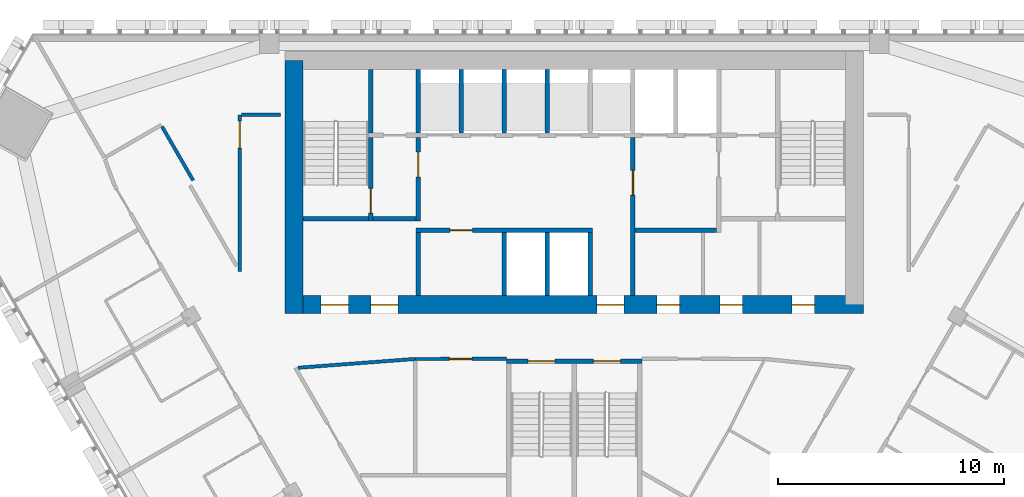
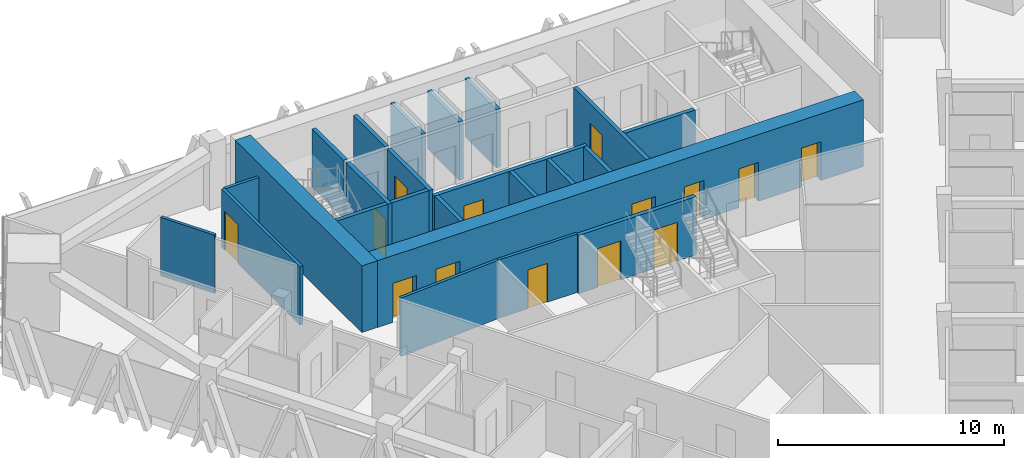
# One storey, part 11 of 16: 24 walls, 14 doors, 14 openings.
"""IFC4 building model written with IfcOpenShell, lengths in metres."""

from ifc_helpers import new_model, si_unit, direction, frame, frame_2d, origin, place, context, subcontext, project, spatial, rectangle, extrude, material, layer, layer_set, type_object, element, fill, save


model = new_model("IFC4")

# Units and contexts
model_context = context("Model", 3, precision=1e-05, world=origin(), true_north=direction((0.0, 1.0)))
body_context = subcontext(model_context, "Body", "Model", "MODEL_VIEW")
ifc_project = project(units=[si_unit("LENGTHUNIT", "METRE"), si_unit("AREAUNIT", "SQUARE_METRE"), si_unit("VOLUMEUNIT", "CUBIC_METRE"), si_unit("PLANEANGLEUNIT", "RADIAN"), si_unit("MASSUNIT", "GRAM", prefix="KILO")], contexts=[model_context])

# Site, building, storey
site_placement = place(None, origin())
site = spatial("IfcSite", under=ifc_project, at=site_placement, CompositionType="ELEMENT")
building_placement = place(site_placement, origin())
building = spatial("IfcBuilding", under=site, at=building_placement, Name="Altiplano Prism Tower", CompositionType="ELEMENT")
storey_placement = place(building_placement, frame((0.0, 0.0, 131.39990234375)))
storey = spatial("IfcBuildingStorey", under=building, at=storey_placement, Name="L33", CompositionType="ELEMENT", Elevation=131.39990234375)

# Wall, openings, doors
ifc_material_1 = material(Name="Concrete C60/75", Category="concrete")
ifc_layer_1 = layer(ifc_material_1, 0.800048828125)
ifc_layer_set_1 = layer_set([ifc_layer_1], Name="Concrete C60/75")
wall_type_1 = type_object("IfcWallType", Name="Core wall 800", PredefinedType="SHEAR", material=ifc_layer_set_1)
wall_1_placement = place(storey_placement, frame((72.60009765625, 93.0, 0.0), z_axis=(0.0, 0.0, 1.0), x_axis=(1.0, 0.0, 0.0)))
wall_1 = element("IfcWall", 1, at=wall_1_placement, inside=storey, type_object=wall_type_1, Name="Core wall S L33", PredefinedType="SHEAR", context=body_context, shape_type="SweptSolid", body=[
    extrude(rectangle(XDim=25.199951171875, YDim=0.800048828125, at=frame_2d((12.60009765625, 0.0))), origin(), (0.0, 0.0, 1.0), 3.60009765625),
])
opening_1_placement = place(wall_1_placement, frame((1.199951171875, 0.0, 0.0)))
opening_1 = element("IfcOpeningElement", 2, at=opening_1_placement, cuts=wall_1, Name="Opening D3030", PredefinedType="OPENING", context=body_context, shape_type="SweptSolid", body=[
    extrude(rectangle(XDim=1.199951171875, YDim=2.10009765625, at=frame_2d((0.60009765625, 1.050048828125))), frame((0.0, 0.41064453125, 0.0), z_axis=(0.0, -1.0, 0.0), x_axis=(1.0, 0.0, 0.0)), (0.0, 0.0, 1.0), 0.821044921875),
])
opening_2_placement = place(wall_1_placement, frame((3.39990234375, 0.0, 0.0)))
opening_2 = element("IfcOpeningElement", 3, at=opening_2_placement, cuts=wall_1, Name="Opening D3031", PredefinedType="OPENING", context=body_context, shape_type="SweptSolid", body=[
    extrude(rectangle(XDim=1.199951171875, YDim=2.10009765625, at=frame_2d((0.60009765625, 1.050048828125))), frame((0.0, 0.41064453125, 0.0), z_axis=(0.0, -1.0, 0.0), x_axis=(1.0, 0.0, 0.0)), (0.0, 0.0, 1.0), 0.821044921875),
])
opening_3_placement = place(wall_1_placement, frame((13.39990234375, 0.0, 0.0)))
opening_3 = element("IfcOpeningElement", 4, at=opening_3_placement, cuts=wall_1, Name="Opening D3032", PredefinedType="OPENING", context=body_context, shape_type="SweptSolid", body=[
    extrude(rectangle(XDim=1.199951171875, YDim=2.10009765625, at=frame_2d((0.60009765625, 1.050048828125))), frame((0.0, 0.41064453125, 0.0), z_axis=(0.0, -1.0, 0.0), x_axis=(1.0, 0.0, 0.0)), (0.0, 0.0, 1.0), 0.821044921875),
])
opening_4_placement = place(wall_1_placement, frame((16.0625, 0.0, 0.0)))
opening_4 = element("IfcOpeningElement", 5, at=opening_4_placement, cuts=wall_1, Name="Opening D3035", PredefinedType="OPENING", context=body_context, shape_type="SweptSolid", body=[
    extrude(rectangle(XDim=1.0, YDim=2.10009765625, at=frame_2d((0.5, 1.050048828125))), frame((0.0, 0.41064453125, 0.0), z_axis=(0.0, -1.0, 0.0), x_axis=(1.0, 0.0, 0.0)), (0.0, 0.0, 1.0), 0.821044921875),
])
opening_5_placement = place(wall_1_placement, frame((18.85009765625, 0.0, 0.0)))
opening_5 = element("IfcOpeningElement", 6, at=opening_5_placement, cuts=wall_1, Name="Opening D3036", PredefinedType="OPENING", context=body_context, shape_type="SweptSolid", body=[
    extrude(rectangle(XDim=1.0, YDim=2.10009765625, at=frame_2d((0.5, 1.050048828125))), frame((0.0, 0.41064453125, 0.0), z_axis=(0.0, -1.0, 0.0), x_axis=(1.0, 0.0, 0.0)), (0.0, 0.0, 1.0), 0.821044921875),
])
opening_6_placement = place(wall_1_placement, frame((22.03759765625, 0.0, 0.0)))
opening_6 = element("IfcOpeningElement", 7, at=opening_6_placement, cuts=wall_1, Name="Opening D3037", PredefinedType="OPENING", context=body_context, shape_type="SweptSolid", body=[
    extrude(rectangle(XDim=1.0, YDim=2.10009765625, at=frame_2d((0.5, 1.050048828125))), frame((0.0, 0.41064453125, 0.0), z_axis=(0.0, -1.0, 0.0), x_axis=(1.0, 0.0, 0.0)), (0.0, 0.0, 1.0), 0.821044921875),
])
ifc_material_2 = material(Name="Fire-rated steel door", Category="steel")
door_type_1 = type_object("IfcDoorType", Name="Core room door 1000 x 2100", OperationType="NOTDEFINED", PredefinedType="NOTDEFINED", material=ifc_material_2)
door_1_placement = place(opening_4_placement, origin())
door_1 = element("IfcDoor", 8, at=door_1_placement, inside=storey, type_object=door_type_1, Name="Core room door D3035", OperationType="SINGLE_SWING_RIGHT", OverallHeight=2.10009765625, OverallWidth=1.0, PredefinedType="NOTDEFINED", context=body_context, shape_type="SweptSolid", body=[
    extrude(rectangle(XDim=1.0, YDim=2.10009765625, at=frame_2d((0.5, 1.050048828125))), frame((0.0, 0.02490234375, 0.0), z_axis=(0.0, -1.0, 0.0), x_axis=(1.0, 0.0, 0.0)), (0.0, 0.0, 1.0), 0.050048828125),
])
fill(opening_4, door_1)
door_2_placement = place(opening_5_placement, origin())
door_2 = element("IfcDoor", 9, at=door_2_placement, inside=storey, type_object=door_type_1, Name="Core room door D3036", OperationType="SINGLE_SWING_LEFT", OverallHeight=2.10009765625, OverallWidth=1.0, PredefinedType="NOTDEFINED", context=body_context, shape_type="SweptSolid", body=[
    extrude(rectangle(XDim=1.0, YDim=2.10009765625, at=frame_2d((0.5, 1.050048828125))), frame((0.0, 0.02490234375, 0.0), z_axis=(0.0, -1.0, 0.0), x_axis=(1.0, 0.0, 0.0)), (0.0, 0.0, 1.0), 0.050048828125),
])
fill(opening_5, door_2)
door_3_placement = place(opening_6_placement, origin())
door_3 = element("IfcDoor", 10, at=door_3_placement, inside=storey, type_object=door_type_1, Name="Core room door D3037", OperationType="SINGLE_SWING_RIGHT", OverallHeight=2.10009765625, OverallWidth=1.0, PredefinedType="NOTDEFINED", context=body_context, shape_type="SweptSolid", body=[
    extrude(rectangle(XDim=1.0, YDim=2.10009765625, at=frame_2d((0.5, 1.050048828125))), frame((0.0, 0.02490234375, 0.0), z_axis=(0.0, -1.0, 0.0), x_axis=(1.0, 0.0, 0.0)), (0.0, 0.0, 1.0), 0.050048828125),
])
fill(opening_6, door_3)
door_type_2 = type_object("IfcDoorType", Name="Lobby fire door 1200 x 2100", OperationType="NOTDEFINED", PredefinedType="NOTDEFINED", material=ifc_material_2)
door_4_placement = place(opening_1_placement, origin())
door_4 = element("IfcDoor", 11, at=door_4_placement, inside=storey, type_object=door_type_2, Name="Lobby fire door D3030", OperationType="SINGLE_SWING_RIGHT", OverallHeight=2.10009765625, OverallWidth=1.199951171875, PredefinedType="NOTDEFINED", context=body_context, shape_type="SweptSolid", body=[
    extrude(rectangle(XDim=1.199951171875, YDim=2.10009765625, at=frame_2d((0.60009765625, 1.050048828125))), frame((0.0, 0.02490234375, 0.0), z_axis=(0.0, -1.0, 0.0), x_axis=(1.0, 0.0, 0.0)), (0.0, 0.0, 1.0), 0.050048828125),
])
fill(opening_1, door_4)
door_5_placement = place(opening_2_placement, origin())
door_5 = element("IfcDoor", 12, at=door_5_placement, inside=storey, type_object=door_type_2, Name="Lobby fire door D3031", OperationType="SINGLE_SWING_LEFT", OverallHeight=2.10009765625, OverallWidth=1.199951171875, PredefinedType="NOTDEFINED", context=body_context, shape_type="SweptSolid", body=[
    extrude(rectangle(XDim=1.199951171875, YDim=2.10009765625, at=frame_2d((0.60009765625, 1.050048828125))), frame((0.0, 0.02490234375, 0.0), z_axis=(0.0, -1.0, 0.0), x_axis=(1.0, 0.0, 0.0)), (0.0, 0.0, 1.0), 0.050048828125),
])
fill(opening_2, door_5)
door_6_placement = place(opening_3_placement, origin())
door_6 = element("IfcDoor", 13, at=door_6_placement, inside=storey, type_object=door_type_2, Name="Lobby fire door D3032", OperationType="SINGLE_SWING_RIGHT", OverallHeight=2.10009765625, OverallWidth=1.199951171875, PredefinedType="NOTDEFINED", context=body_context, shape_type="SweptSolid", body=[
    extrude(rectangle(XDim=1.199951171875, YDim=2.10009765625, at=frame_2d((0.60009765625, 1.050048828125))), frame((0.0, 0.02490234375, 0.0), z_axis=(0.0, -1.0, 0.0), x_axis=(1.0, 0.0, 0.0)), (0.0, 0.0, 1.0), 0.050048828125),
])
fill(opening_3, door_6)

# Walls
wall_2_placement = place(storey_placement, frame((72.60009765625, 103.800048828125, 0.0), z_axis=(0.0, 0.0, 1.0), x_axis=(0.0, -1.0, 0.0)))
element("IfcWall", 14, at=wall_2_placement, inside=storey, type_object=wall_type_1, Name="Core wall W L33", PredefinedType="SHEAR", context=body_context, shape_type="SweptSolid", body=[
    extrude(rectangle(XDim=11.199951171875, YDim=0.800048828125, at=frame_2d((5.60009765625, 0.0))), origin(), (0.0, 0.0, 1.0), 3.60009765625),
])
ifc_material_3 = material(Name="Plasterboard on steel stud", Category="steel")
ifc_layer_2 = layer(ifc_material_3, 0.14990234375)
ifc_layer_set_2 = layer_set([ifc_layer_2], Name="Plasterboard on steel stud")
wall_type_2 = type_object("IfcWallType", Name="Partition 150 corridor", PredefinedType="PARTITIONING", material=ifc_layer_set_2)
wall_3_placement = place(storey_placement, frame((72.7841796875, 90.208984375, 0.0), z_axis=(0.0, 0.0, 1.0), x_axis=(0.997170112463, 0.075178233616, 0.0)))
element("IfcWall", 15, at=wall_3_placement, inside=storey, type_object=wall_type_2, Name="Partition P06 L33 003", PredefinedType="PARTITIONING", context=body_context, shape_type="SweptSolid", body=[
    extrude(rectangle(XDim=5.189453125, YDim=0.14990234375, at=frame_2d((2.5947265625, 0.0))), origin(), (0.0, 0.0, 1.0), 3.150146484375),
])

# Wall, opening, door
wall_4_placement = place(storey_placement, frame((77.958984375, 90.59912109375, 0.0), z_axis=(0.0, 0.0, 1.0), x_axis=(0.9999999708, 0.000241662632, 0.0)))
wall_4 = element("IfcWall", 16, at=wall_4_placement, inside=storey, type_object=wall_type_2, Name="Partition P06 L33 004", PredefinedType="PARTITIONING", context=body_context, shape_type="SweptSolid", body=[
    extrude(rectangle(XDim=4.041015625, YDim=0.14990234375, at=frame_2d((2.0205078125, 0.0))), origin(), (0.0, 0.0, 1.0), 3.150146484375),
])
opening_7_placement = place(wall_4_placement, frame((1.52001953125, 0.0, 0.0)))
opening_7 = element("IfcOpeningElement", 17, at=opening_7_placement, cuts=wall_4, Name="Opening D1184", PredefinedType="OPENING", context=body_context, shape_type="SweptSolid", body=[
    extrude(rectangle(XDim=1.0, YDim=2.10009765625, at=frame_2d((0.5, 1.050048828125))), frame((0.0, 0.08544921875, 0.0), z_axis=(0.0, -1.0, 0.0), x_axis=(1.0, 0.0, 0.0)), (0.0, 0.0, 1.0), 0.1708984375),
])
ifc_material_4 = material(Name="Timber", Category="wood")
door_type_3 = type_object("IfcDoorType", Name="Store door 1000 x 2100", OperationType="NOTDEFINED", PredefinedType="NOTDEFINED", material=ifc_material_4)
door_7_placement = place(opening_7_placement, origin())
door_7 = element("IfcDoor", 18, at=door_7_placement, inside=storey, type_object=door_type_3, Name="Door D1184", OperationType="SINGLE_SWING_LEFT", OverallHeight=2.10009765625, OverallWidth=1.0, PredefinedType="NOTDEFINED", context=body_context, shape_type="SweptSolid", body=[
    extrude(rectangle(XDim=1.0, YDim=2.10009765625, at=frame_2d((0.5, 1.050048828125))), frame((0.0, 0.02490234375, 0.0), z_axis=(0.0, -1.0, 0.0), x_axis=(1.0, 0.0, 0.0)), (0.0, 0.0, 1.0), 0.050048828125),
])
fill(opening_7, door_7)

# Wall
wall_5_placement = place(storey_placement, frame((72.0, 101.39990234375, 0.0), z_axis=(0.0, 0.0, 1.0), x_axis=(-1.0, 0.0, 0.0)))
element("IfcWall", 19, at=wall_5_placement, inside=storey, type_object=wall_type_2, Name="Partition P06 L33 015", PredefinedType="PARTITIONING", context=body_context, shape_type="SweptSolid", body=[
    extrude(rectangle(XDim=1.72509765625, YDim=0.14990234375, at=frame_2d((0.862548828125, 0.0))), origin(), (0.0, 0.0, 1.0), 3.150146484375),
])

# Wall, opening, door
wall_6_placement = place(storey_placement, frame((70.199951171875, 101.39990234375, 0.0), z_axis=(0.0, 0.0, 1.0), x_axis=(0.0, -1.0, 0.0)))
wall_6 = element("IfcWall", 20, at=wall_6_placement, inside=storey, type_object=wall_type_2, Name="Partition P06 L33 016", PredefinedType="PARTITIONING", context=body_context, shape_type="SweptSolid", body=[
    extrude(rectangle(XDim=6.929931640625, YDim=0.14990234375, at=frame_2d((3.46484375, 0.0))), origin(), (0.0, 0.0, 1.0), 3.150146484375),
])
opening_8_placement = place(wall_6_placement, frame((0.27197265625, 0.0, 0.0)))
opening_8 = element("IfcOpeningElement", 21, at=opening_8_placement, cuts=wall_6, Name="Opening D1217", PredefinedType="OPENING", context=body_context, shape_type="SweptSolid", body=[
    extrude(rectangle(XDim=1.199951171875, YDim=2.10009765625, at=frame_2d((0.60009765625, 1.050048828125))), frame((0.0, 0.08544921875, 0.0), z_axis=(0.0, -1.0, 0.0), x_axis=(1.0, 0.0, 0.0)), (0.0, 0.0, 1.0), 0.1708984375),
])
door_type_4 = type_object("IfcDoorType", Name="Shared room door 1200 x 2100", OperationType="NOTDEFINED", PredefinedType="NOTDEFINED", material=ifc_material_4)
door_8_placement = place(opening_8_placement, origin())
door_8 = element("IfcDoor", 22, at=door_8_placement, inside=storey, type_object=door_type_4, Name="Door D1217", OperationType="SINGLE_SWING_LEFT", OverallHeight=2.10009765625, OverallWidth=1.199951171875, PredefinedType="NOTDEFINED", context=body_context, shape_type="SweptSolid", body=[
    extrude(rectangle(XDim=1.199951171875, YDim=2.10009765625, at=frame_2d((0.60009765625, 1.050048828125))), frame((0.0, 0.02490234375, 0.0), z_axis=(0.0, -1.0, 0.0), x_axis=(1.0, 0.0, 0.0)), (0.0, 0.0, 1.0), 0.050048828125),
])
fill(opening_8, door_8)

# Walls
wall_7_placement = place(storey_placement, frame((68.135498046875, 98.5, 0.0), z_axis=(0.0, 0.0, 1.0), x_axis=(-0.499991038717, 0.866030577522, 0.0)))
element("IfcWall", 23, at=wall_7_placement, inside=storey, type_object=wall_type_2, Name="Partition P06 L33 018", PredefinedType="PARTITIONING", context=body_context, shape_type="SweptSolid", body=[
    extrude(rectangle(XDim=2.75390625, YDim=0.14990234375, at=frame_2d((1.376953125, 0.0))), origin(), (0.0, 0.0, 1.0), 3.150146484375),
])
ifc_layer_3 = layer(ifc_material_1, 0.199951171875)
ifc_layer_set_3 = layer_set([ifc_layer_3], Name="Concrete C60/75")
wall_type_3 = type_object("IfcWallType", Name="Shaft wall 200", PredefinedType="SOLIDWALL", material=ifc_layer_set_3)
for number, where, z_axis, x_axis, name in (
    (24, (81.89990234375, 93.39990234375, 0.0), (0.0, 0.0, 1.0), (0.0, 1.0, 0.0), "Shaft wall L33"),
    (25, (83.800048828125, 93.39990234375, 0.0), (0.0, 0.0, 1.0), (0.0, 1.0, 0.0), "Shaft wall L33"),
    (26, (85.699951171875, 93.39990234375, 0.0), (0.0, 0.0, 1.0), (0.0, 1.0, 0.0), "Shaft wall L33"),
):
    element("IfcWall", number, at=place(storey_placement, frame(where, z_axis=z_axis, x_axis=x_axis)), inside=storey, type_object=wall_type_3, Name=name, PredefinedType="SOLIDWALL", context=body_context, shape_type="SweptSolid", body=[
        extrude(rectangle(XDim=2.800048828125, YDim=0.199951171875, at=frame_2d((1.39990234375, 0.0))), origin(), (0.0, 0.0, 1.0), 3.150146484375),
    ])

# Wall, opening, door
wall_8_placement = place(storey_placement, frame((78.0, 96.300048828125, 0.0), z_axis=(0.0, 0.0, 1.0), x_axis=(1.0, 0.0, 0.0)))
wall_8 = element("IfcWall", 27, at=wall_8_placement, inside=storey, type_object=wall_type_3, Name="Shaft wall L33", PredefinedType="SOLIDWALL", context=body_context, shape_type="SweptSolid", body=[
    extrude(rectangle(XDim=7.800048828125, YDim=0.199951171875, at=frame_2d((3.89990234375, 0.0))), origin(), (0.0, 0.0, 1.0), 3.150146484375),
])
opening_9_placement = place(wall_8_placement, frame((1.5, 0.0, 0.0)))
opening_9 = element("IfcOpeningElement", 28, at=opening_9_placement, cuts=wall_8, Name="Opening D3038", PredefinedType="OPENING", context=body_context, shape_type="SweptSolid", body=[
    extrude(rectangle(XDim=1.0, YDim=2.10009765625, at=frame_2d((0.5, 1.050048828125))), frame((0.0, 0.1103515625, 0.0), z_axis=(0.0, -1.0, 0.0), x_axis=(1.0, 0.0, 0.0)), (0.0, 0.0, 1.0), 0.220947265625),
])
door_9_placement = place(opening_9_placement, origin())
door_9 = element("IfcDoor", 29, at=door_9_placement, inside=storey, type_object=door_type_1, Name="Core room door D3038", OperationType="SINGLE_SWING_RIGHT", OverallHeight=2.10009765625, OverallWidth=1.0, PredefinedType="NOTDEFINED", context=body_context, shape_type="SweptSolid", body=[
    extrude(rectangle(XDim=1.0, YDim=2.10009765625, at=frame_2d((0.5, 1.050048828125))), frame((0.0, 0.02490234375, 0.0), z_axis=(0.0, -1.0, 0.0), x_axis=(1.0, 0.0, 0.0)), (0.0, 0.0, 1.0), 0.050048828125),
])
fill(opening_9, door_9)

# Walls
for number, where, z_axis, x_axis, name in (
    (30, (78.10009765625, 100.60009765625, 0.0), (0.0, 0.0, 1.0), (0.0, 1.0, 0.0), "Shaft wall L33"),
    (31, (80.0, 100.60009765625, 0.0), (0.0, 0.0, 1.0), (0.0, 1.0, 0.0), "Shaft wall L33"),
    (32, (81.89990234375, 100.60009765625, 0.0), (0.0, 0.0, 1.0), (0.0, 1.0, 0.0), "Shaft wall L33"),
    (33, (83.800048828125, 100.60009765625, 0.0), (0.0, 0.0, 1.0), (0.0, 1.0, 0.0), "Shaft wall L33"),
):
    element("IfcWall", number, at=place(storey_placement, frame(where, z_axis=z_axis, x_axis=x_axis)), inside=storey, type_object=wall_type_3, Name=name, PredefinedType="SOLIDWALL", context=body_context, shape_type="SweptSolid", body=[
        extrude(rectangle(XDim=2.7998046875, YDim=0.199951171875, at=frame_2d((1.39990234375, 0.0))), origin(), (0.0, 0.0, 1.0), 3.150146484375),
    ])
ifc_layer_4 = layer(ifc_material_1, 0.199951171875)
ifc_layer_set_4 = layer_set([ifc_layer_4], Name="Concrete C60/75")
wall_type_4 = type_object("IfcWallType", Name="Stair wall 200", PredefinedType="SOLIDWALL", material=ifc_layer_set_4)
wall_9_placement = place(storey_placement, frame((73.0, 96.800048828125, 0.0), z_axis=(0.0, 0.0, 1.0), x_axis=(1.0, 0.0, 0.0)))
element("IfcWall", 34, at=wall_9_placement, inside=storey, type_object=wall_type_4, Name="Stair wall L33", PredefinedType="SOLIDWALL", context=body_context, shape_type="SweptSolid", body=[
    extrude(rectangle(XDim=2.89990234375, YDim=0.199951171875, at=frame_2d((1.449951171875, 0.0))), origin(), (0.0, 0.0, 1.0), 3.150146484375),
])

# Wall, opening, door
wall_10_placement = place(storey_placement, frame((76.0, 96.699951171875, 0.0), z_axis=(0.0, 0.0, 1.0), x_axis=(0.0, 1.0, 0.0)))
wall_10 = element("IfcWall", 35, at=wall_10_placement, inside=storey, type_object=wall_type_4, Name="Stair wall L33", PredefinedType="SOLIDWALL", context=body_context, shape_type="SweptSolid", body=[
    extrude(rectangle(XDim=3.699951171875, YDim=0.199951171875, at=frame_2d((1.85009765625, 0.0))), origin(), (0.0, 0.0, 1.0), 3.150146484375),
])
opening_10_placement = place(wall_10_placement, frame((0.35009765625, 0.0, 0.0)))
opening_10 = element("IfcOpeningElement", 36, at=opening_10_placement, cuts=wall_10, Name="Opening D3025", PredefinedType="OPENING", context=body_context, shape_type="SweptSolid", body=[
    extrude(rectangle(XDim=1.10009765625, YDim=2.10009765625, at=frame_2d((0.550048828125, 1.050048828125))), frame((0.0, 0.1103515625, 0.0), z_axis=(0.0, -1.0, 0.0), x_axis=(1.0, 0.0, 0.0)), (0.0, 0.0, 1.0), 0.220947265625),
])
door_type_5 = type_object("IfcDoorType", Name="Stair fire door 1100 x 2100", OperationType="NOTDEFINED", PredefinedType="NOTDEFINED", material=ifc_material_2)
door_10_placement = place(opening_10_placement, origin())
door_10 = element("IfcDoor", 37, at=door_10_placement, inside=storey, type_object=door_type_5, Name="Stair fire door D3025", OperationType="SINGLE_SWING_RIGHT", OverallHeight=2.10009765625, OverallWidth=1.10009765625, PredefinedType="NOTDEFINED", context=body_context, shape_type="SweptSolid", body=[
    extrude(rectangle(XDim=1.10009765625, YDim=2.10009765625, at=frame_2d((0.550048828125, 1.050048828125))), frame((0.0, 0.02490234375, 0.0), z_axis=(0.0, -1.0, 0.0), x_axis=(1.0, 0.0, 0.0)), (0.0, 0.0, 1.0), 0.050048828125),
])
fill(opening_10, door_10)

# Wall
wall_11_placement = place(storey_placement, frame((76.0, 100.60009765625, 0.0), z_axis=(0.0, 0.0, 1.0), x_axis=(0.0, 1.0, 0.0)))
element("IfcWall", 38, at=wall_11_placement, inside=storey, type_object=wall_type_4, Name="Stair wall L33", PredefinedType="SOLIDWALL", context=body_context, shape_type="SweptSolid", body=[
    extrude(rectangle(XDim=2.7998046875, YDim=0.199951171875, at=frame_2d((1.39990234375, 0.0))), origin(), (0.0, 0.0, 1.0), 3.150146484375),
])

# Wall, openings, doors
wall_12_placement = place(storey_placement, frame((82.0, 90.5, 0.0), z_axis=(0.0, 0.0, 1.0), x_axis=(1.0, 0.0, 0.0)))
wall_12 = element("IfcWall", 39, at=wall_12_placement, inside=storey, type_object=wall_type_4, Name="Stair 3 wall north L33", PredefinedType="SOLIDWALL", context=body_context, shape_type="SweptSolid", body=[
    extrude(rectangle(XDim=6.0, YDim=0.199951171875, at=frame_2d((3.0, 0.0))), origin(), (0.0, 0.0, 1.0), 3.150146484375),
])
opening_11_placement = place(wall_12_placement, frame((0.949951171875, 0.0, 0.0)))
opening_11 = element("IfcOpeningElement", 40, at=opening_11_placement, cuts=wall_12, Name="Opening D3988", PredefinedType="OPENING", context=body_context, shape_type="SweptSolid", body=[
    extrude(rectangle(XDim=1.199951171875, YDim=2.10009765625, at=frame_2d((0.60009765625, 1.050048828125))), frame((0.0, 0.1103515625, 0.0), z_axis=(0.0, -1.0, 0.0), x_axis=(1.0, 0.0, 0.0)), (0.0, 0.0, 1.0), 0.220947265625),
])
opening_12_placement = place(wall_12_placement, frame((3.85009765625, 0.0, 0.0)))
opening_12 = element("IfcOpeningElement", 41, at=opening_12_placement, cuts=wall_12, Name="Opening D3989", PredefinedType="OPENING", context=body_context, shape_type="SweptSolid", body=[
    extrude(rectangle(XDim=1.199951171875, YDim=2.10009765625, at=frame_2d((0.60009765625, 1.050048828125))), frame((0.0, 0.1103515625, 0.0), z_axis=(0.0, -1.0, 0.0), x_axis=(1.0, 0.0, 0.0)), (0.0, 0.0, 1.0), 0.220947265625),
])
door_type_6 = type_object("IfcDoorType", Name="Stair fire door 1200 x 2100", OperationType="NOTDEFINED", PredefinedType="NOTDEFINED", material=ifc_material_2)
door_11_placement = place(opening_11_placement, origin())
door_11 = element("IfcDoor", 42, at=door_11_placement, inside=storey, type_object=door_type_6, Name="Stair fire door D3988", OperationType="SINGLE_SWING_LEFT", OverallHeight=2.10009765625, OverallWidth=1.199951171875, PredefinedType="NOTDEFINED", context=body_context, shape_type="SweptSolid", body=[
    extrude(rectangle(XDim=1.199951171875, YDim=2.10009765625, at=frame_2d((0.60009765625, 1.050048828125))), frame((0.0, 0.02490234375, 0.0), z_axis=(0.0, -1.0, 0.0), x_axis=(1.0, 0.0, 0.0)), (0.0, 0.0, 1.0), 0.050048828125),
])
fill(opening_11, door_11)
door_12_placement = place(opening_12_placement, origin())
door_12 = element("IfcDoor", 43, at=door_12_placement, inside=storey, type_object=door_type_6, Name="Stair fire door D3989", OperationType="SINGLE_SWING_LEFT", OverallHeight=2.10009765625, OverallWidth=1.199951171875, PredefinedType="NOTDEFINED", context=body_context, shape_type="SweptSolid", body=[
    extrude(rectangle(XDim=1.199951171875, YDim=2.10009765625, at=frame_2d((0.60009765625, 1.050048828125))), frame((0.0, 0.02490234375, 0.0), z_axis=(0.0, -1.0, 0.0), x_axis=(1.0, 0.0, 0.0)), (0.0, 0.0, 1.0), 0.050048828125),
])
fill(opening_12, door_12)

# Wall
ifc_layer_5 = layer(ifc_material_1, 0.199951171875)
ifc_layer_set_5 = layer_set([ifc_layer_5], Name="Concrete C60/75")
wall_type_5 = type_object("IfcWallType", Name="Vestibule wall 200", PredefinedType="PARTITIONING", material=ifc_layer_set_5)
wall_13_placement = place(storey_placement, frame((78.10009765625, 93.39990234375, 0.0), z_axis=(0.0, 0.0, 1.0), x_axis=(0.0, 1.0, 0.0)))
element("IfcWall", 44, at=wall_13_placement, inside=storey, type_object=wall_type_5, Name="Vestibule wall L33", PredefinedType="PARTITIONING", context=body_context, shape_type="SweptSolid", body=[
    extrude(rectangle(XDim=2.800048828125, YDim=0.199951171875, at=frame_2d((1.39990234375, 0.0))), origin(), (0.0, 0.0, 1.0), 3.150146484375),
])

# Wall, opening, door
wall_14_placement = place(storey_placement, frame((87.60009765625, 93.39990234375, 0.0), z_axis=(0.0, 0.0, 1.0), x_axis=(0.0, 1.0, 0.0)))
wall_14 = element("IfcWall", 45, at=wall_14_placement, inside=storey, type_object=wall_type_5, Name="Vestibule wall L33", PredefinedType="PARTITIONING", context=body_context, shape_type="SweptSolid", body=[
    extrude(rectangle(XDim=7.0, YDim=0.199951171875, at=frame_2d((3.5, 0.0))), origin(), (0.0, 0.0, 1.0), 3.150146484375),
])
opening_13_placement = place(wall_14_placement, frame((4.449951171875, 0.0, 0.0)))
opening_13 = element("IfcOpeningElement", 46, at=opening_13_placement, cuts=wall_14, Name="Opening D3028", PredefinedType="OPENING", context=body_context, shape_type="SweptSolid", body=[
    extrude(rectangle(XDim=1.10009765625, YDim=2.10009765625, at=frame_2d((0.550048828125, 1.050048828125))), frame((0.0, 0.1103515625, 0.0), z_axis=(0.0, -1.0, 0.0), x_axis=(1.0, 0.0, 0.0)), (0.0, 0.0, 1.0), 0.220947265625),
])
door_type_7 = type_object("IfcDoorType", Name="Vestibule fire door 1100 x 2100", OperationType="NOTDEFINED", PredefinedType="NOTDEFINED", material=ifc_material_2)
door_13_placement = place(opening_13_placement, origin())
door_13 = element("IfcDoor", 47, at=door_13_placement, inside=storey, type_object=door_type_7, Name="Vestibule fire door D3028", OperationType="SINGLE_SWING_RIGHT", OverallHeight=2.10009765625, OverallWidth=1.10009765625, PredefinedType="NOTDEFINED", context=body_context, shape_type="SweptSolid", body=[
    extrude(rectangle(XDim=1.10009765625, YDim=2.10009765625, at=frame_2d((0.550048828125, 1.050048828125))), frame((0.0, 0.02490234375, 0.0), z_axis=(0.0, -1.0, 0.0), x_axis=(1.0, 0.0, 0.0)), (0.0, 0.0, 1.0), 0.050048828125),
])
fill(opening_13, door_13)

# Walls
wall_15_placement = place(storey_placement, frame((87.699951171875, 96.300048828125, 0.0), z_axis=(0.0, 0.0, 1.0), x_axis=(1.0, 0.0, 0.0)))
element("IfcWall", 48, at=wall_15_placement, inside=storey, type_object=wall_type_5, Name="Vestibule wall L33", PredefinedType="PARTITIONING", context=body_context, shape_type="SweptSolid", body=[
    extrude(rectangle(XDim=3.60009765625, YDim=0.199951171875, at=frame_2d((1.800048828125, 0.0))), origin(), (0.0, 0.0, 1.0), 3.150146484375),
])
wall_16_placement = place(storey_placement, frame((76.10009765625, 96.800048828125, 0.0), z_axis=(0.0, 0.0, 1.0), x_axis=(1.0, 0.0, 0.0)))
element("IfcWall", 49, at=wall_16_placement, inside=storey, type_object=wall_type_5, Name="Vestibule wall L33", PredefinedType="PARTITIONING", context=body_context, shape_type="SweptSolid", body=[
    extrude(rectangle(XDim=1.89990234375, YDim=0.199951171875, at=frame_2d((0.949951171875, 0.0))), origin(), (0.0, 0.0, 1.0), 3.150146484375),
])

# Wall, opening, door
wall_17_placement = place(storey_placement, frame((78.10009765625, 96.699951171875, 0.0), z_axis=(0.0, 0.0, 1.0), x_axis=(0.0, 1.0, 0.0)))
wall_17 = element("IfcWall", 50, at=wall_17_placement, inside=storey, type_object=wall_type_5, Name="Vestibule wall L33", PredefinedType="PARTITIONING", context=body_context, shape_type="SweptSolid", body=[
    extrude(rectangle(XDim=3.699951171875, YDim=0.199951171875, at=frame_2d((1.85009765625, 0.0))), origin(), (0.0, 0.0, 1.0), 3.150146484375),
])
opening_14_placement = place(wall_17_placement, frame((1.949951171875, 0.0, 0.0)))
opening_14 = element("IfcOpeningElement", 51, at=opening_14_placement, cuts=wall_17, Name="Opening D3027", PredefinedType="OPENING", context=body_context, shape_type="SweptSolid", body=[
    extrude(rectangle(XDim=1.10009765625, YDim=2.10009765625, at=frame_2d((0.550048828125, 1.050048828125))), frame((0.0, 0.1103515625, 0.0), z_axis=(0.0, -1.0, 0.0), x_axis=(1.0, 0.0, 0.0)), (0.0, 0.0, 1.0), 0.220947265625),
])
door_14_placement = place(opening_14_placement, origin())
door_14 = element("IfcDoor", 52, at=door_14_placement, inside=storey, type_object=door_type_7, Name="Vestibule fire door D3027", OperationType="SINGLE_SWING_LEFT", OverallHeight=2.10009765625, OverallWidth=1.10009765625, PredefinedType="NOTDEFINED", context=body_context, shape_type="SweptSolid", body=[
    extrude(rectangle(XDim=1.10009765625, YDim=2.10009765625, at=frame_2d((0.550048828125, 1.050048828125))), frame((0.0, 0.02490234375, 0.0), z_axis=(0.0, -1.0, 0.0), x_axis=(1.0, 0.0, 0.0)), (0.0, 0.0, 1.0), 0.050048828125),
])
fill(opening_14, door_14)

save(model, "model.ifc")
